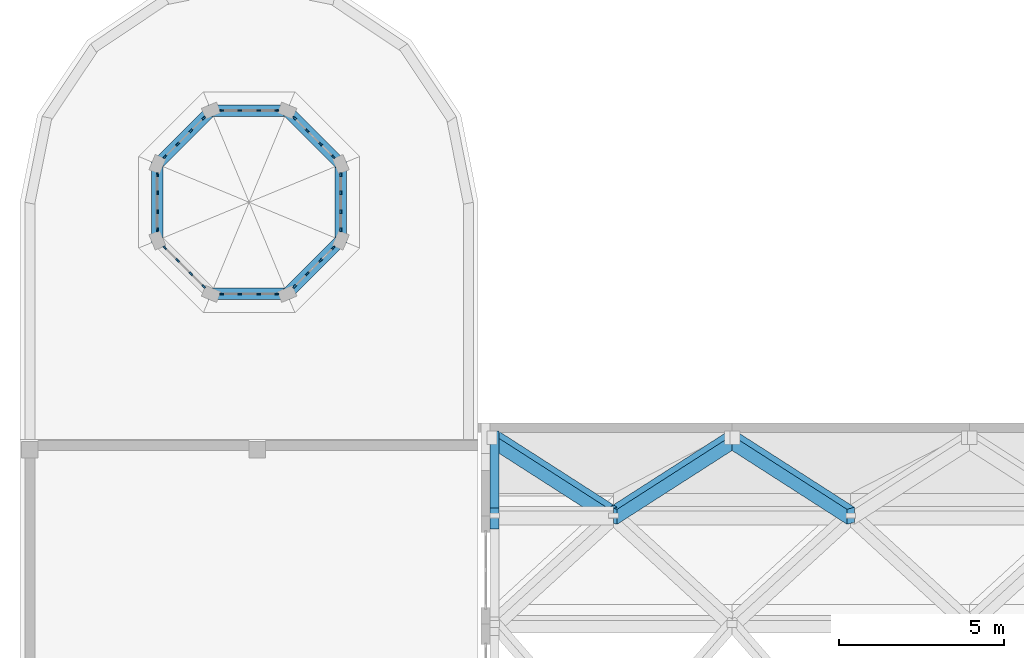
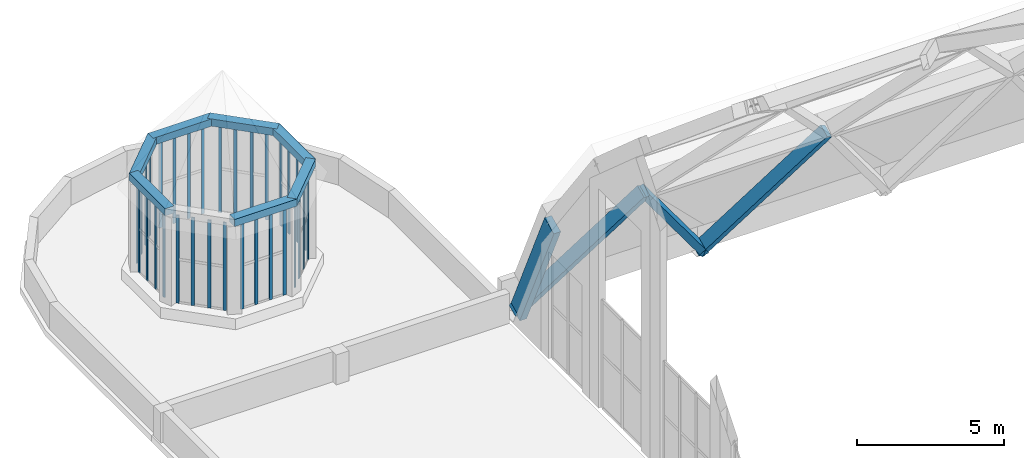
# One storey, part 12 of 52: 35 members, 8 beams, 8 elements without a shape of their own.
"""IFC4 building model written with IfcOpenShell, lengths in metres."""

from ifc_helpers import new_model, si_unit, direction, frame, origin, origin_2d, place, context, subcontext, project, spatial, rectangle, extrude, material, material_profile, profile_set, type_object, element, aggregate, save


model = new_model("IFC4")

# Units and contexts
model_context = context("Model", 3, precision=1e-05, world=origin(), true_north=direction((0.0, 1.0)))
body_context = subcontext(model_context, "Body", "Model", "MODEL_VIEW")
ifc_project = project(units=[si_unit("LENGTHUNIT", "METRE"), si_unit("AREAUNIT", "SQUARE_METRE"), si_unit("VOLUMEUNIT", "CUBIC_METRE"), si_unit("PLANEANGLEUNIT", "RADIAN"), si_unit("MASSUNIT", "GRAM", prefix="KILO")], contexts=[model_context])

# Site, building, storey
site_placement = place(None, origin())
site = spatial("IfcSite", under=ifc_project, at=site_placement, CompositionType="ELEMENT")
building_placement = place(site_placement, origin())
building = spatial("IfcBuilding", under=site, at=building_placement, Name="Vermilion Court Aquatics Centre", CompositionType="ELEMENT")
storey_placement = place(building_placement, frame((0.0, 0.0, 12.0)))
storey = spatial("IfcBuildingStorey", under=building, at=storey_placement, Name="L02", CompositionType="ELEMENT", Elevation=12.0)

# Beam
ifc_material_1 = material(Name="Glulam 24F-V4 Douglas fir", Category="wood")
ifc_material_profile_1 = material_profile(ifc_material_1, rectangle(XDim=0.27294921875, YDim=0.699951171875, at=origin_2d()), Name="GL24F 273x700")
ifc_profile_set_1 = profile_set([ifc_material_profile_1], Name="Glulam 24F-V4 Douglas fir")
beam_type_1 = type_object("IfcBeamType", Name="Roof gable arch rib GL24F 273x700", PredefinedType="BEAM", material=ifc_profile_set_1)
beam_placement = place(storey_placement, frame((14.39990234375, 62.411865234375, 5.169677734375), z_axis=(0.0, 0.420151136212, -0.907454143602), x_axis=(-1.0, 0.0, 0.0)))
element("IfcBeam", 1, at=beam_placement, inside=storey, type_object=beam_type_1, Name="Gable arch rib GR-R11-W", PredefinedType="BEAM", context=body_context, shape_type="SweptSolid", body=[
    extrude(rectangle(XDim=0.27294921875, YDim=0.699951171875, at=origin_2d()), origin(), (0.0, 0.0, 1.0), 5.537109375),
])

# Members
ifc_material_2 = material(Name="Glulam 24F-V4 Douglas fir", Category="wood")
ifc_material_profile_2 = material_profile(ifc_material_2, rectangle(XDim=0.27294921875, YDim=0.5, at=origin_2d()), Name="GL24F 273x500")
ifc_profile_set_2 = profile_set([ifc_material_profile_2], Name="Glulam 24F-V4 Douglas fir")
member_type_1 = type_object("IfcMemberType", Name="Roof glulam diagonal GL24F 273x500", PredefinedType="BRACE", material=ifc_profile_set_2)
for number, where, z_axis, x_axis, name in (
    (2, (18.0, 62.489990234375, 5.239013671875), (-0.547810111411, 0.35151027822, -0.759173633724), (-0.836602702247, -0.230192523341, 0.497098904436), "Gridshell member GM-D11-00"),
    (3, (18.0, 62.489990234375, 5.239013671875), (0.547810111411, 0.35151027822, -0.759173633724), (-0.836602702247, 0.230192523341, -0.497098904436), "Gridshell member GM-D11-01"),
    (4, (25.199951171875, 62.489990234375, 5.239013671875), (-0.547810111411, 0.35151027822, -0.759173633724), (-0.836602702247, -0.230192523341, 0.497098904436), "Gridshell member GM-D11-02"),
):
    element("IfcMember", number, at=place(storey_placement, frame(where, z_axis=z_axis, x_axis=x_axis)), inside=storey, type_object=member_type_1, Name=name, PredefinedType="BRACE", context=body_context, shape_type="SweptSolid", body=[
        extrude(rectangle(XDim=0.27294921875, YDim=0.5, at=origin_2d()), origin(), (0.0, 0.0, 1.0), 6.72607421875),
    ])

# Curtain wall, members
ifc_material_3 = material(Name="Aluminium 6063-T5", Category="aluminium")
curtain_wall_type = type_object("IfcCurtainWallType", Name="Rotunda lantern curtain wall", PredefinedType="NOTDEFINED", material=ifc_material_3)
curtain_wall_1_placement = place(storey_placement, origin())
curtain_wall_1 = element("IfcCurtainWall", 5, at=curtain_wall_1_placement, inside=storey, type_object=curtain_wall_type, Name="Rotunda lantern curtain wall", PredefinedType="NOTDEFINED")
ifc_material_4 = material(Name="Aluminium 6063-T5", Category="aluminium")
ifc_material_profile_3 = material_profile(ifc_material_4, rectangle(XDim=0.050048828125, YDim=0.1201171875, at=origin_2d()), Name="Aluminium 50x120")
ifc_profile_set_3 = profile_set([ifc_material_profile_3], Name="Aluminium 6063-T5")
member_type_2 = type_object("IfcMemberType", Name="Rotunda lantern mullion 50x120", PredefinedType="MULLION", material=ifc_profile_set_3)
member_1_placement = place(storey_placement, frame((9.504638671875, 73.37890625, 0.449951171875), z_axis=(0.0, 0.0, 1.0), x_axis=(-0.707106781187, -0.707106781187, 0.0)))
member_1 = element("IfcMember", 6, at=member_1_placement, type_object=member_type_2, Name="HRT13 mullion 1", PredefinedType="MULLION", context=body_context, shape_type="SweptSolid", body=[
    extrude(rectangle(XDim=0.050048828125, YDim=0.1201171875, at=origin_2d()), origin(), (0.0, 0.0, 1.0), 3.650146484375),
])
member_2_placement = place(storey_placement, frame((9.119873046875, 73.763671875, 0.449951171875), z_axis=(0.0, 0.0, 1.0), x_axis=(-0.707106781187, -0.707106781187, 0.0)))
member_2 = element("IfcMember", 7, at=member_2_placement, type_object=member_type_2, Name="HRT13 mullion 2", PredefinedType="MULLION", context=body_context, shape_type="SweptSolid", body=[
    extrude(rectangle(XDim=0.050048828125, YDim=0.1201171875, at=origin_2d()), origin(), (0.0, 0.0, 1.0), 3.650146484375),
])
member_3_placement = place(storey_placement, frame((8.713623046875, 74.169921875, 0.449951171875), z_axis=(0.0, 0.0, 1.0), x_axis=(-0.707106781187, -0.707106781187, 0.0)))
member_3 = element("IfcMember", 8, at=member_3_placement, type_object=member_type_2, Name="HRT13 mullion 3", PredefinedType="MULLION", context=body_context, shape_type="SweptSolid", body=[
    extrude(rectangle(XDim=0.050048828125, YDim=0.1201171875, at=origin_2d()), origin(), (0.0, 0.0, 1.0), 3.650146484375),
])
member_4_placement = place(storey_placement, frame((8.328857421875, 74.5546875, 0.449951171875), z_axis=(0.0, 0.0, 1.0), x_axis=(-0.707106781187, -0.707106781187, 0.0)))
member_4 = element("IfcMember", 9, at=member_4_placement, type_object=member_type_2, Name="HRT13 mullion 4", PredefinedType="MULLION", context=body_context, shape_type="SweptSolid", body=[
    extrude(rectangle(XDim=0.050048828125, YDim=0.1201171875, at=origin_2d()), origin(), (0.0, 0.0, 1.0), 3.650146484375),
])
aggregate(curtain_wall_1, [member_1, member_2, member_3, member_4])

curtain_wall_2_placement = place(storey_placement, origin())
curtain_wall_2 = element("IfcCurtainWall", 10, at=curtain_wall_2_placement, inside=storey, type_object=curtain_wall_type, Name="Rotunda lantern curtain wall", PredefinedType="NOTDEFINED")
member_5_placement = place(storey_placement, frame((7.781494140625, 74.781494140625, 0.449951171875), z_axis=(0.0, 0.0, 1.0), x_axis=(0.0, -1.0, 0.0)))
member_5 = element("IfcMember", 11, at=member_5_placement, type_object=member_type_2, Name="HRT13 mullion 1", PredefinedType="MULLION", context=body_context, shape_type="SweptSolid", body=[
    extrude(rectangle(XDim=0.050048828125, YDim=0.1201171875, at=origin_2d()), origin(), (0.0, 0.0, 1.0), 3.650146484375),
])
member_6_placement = place(storey_placement, frame((7.237060546875, 74.781494140625, 0.449951171875), z_axis=(0.0, 0.0, 1.0), x_axis=(0.0, -1.0, 0.0)))
member_6 = element("IfcMember", 12, at=member_6_placement, type_object=member_type_2, Name="HRT13 mullion 2", PredefinedType="MULLION", context=body_context, shape_type="SweptSolid", body=[
    extrude(rectangle(XDim=0.050048828125, YDim=0.1201171875, at=origin_2d()), origin(), (0.0, 0.0, 1.0), 3.650146484375),
])
member_7_placement = place(storey_placement, frame((6.662841796875, 74.781494140625, 0.449951171875), z_axis=(0.0, 0.0, 1.0), x_axis=(0.0, -1.0, 0.0)))
member_7 = element("IfcMember", 13, at=member_7_placement, type_object=member_type_2, Name="HRT13 mullion 3", PredefinedType="MULLION", context=body_context, shape_type="SweptSolid", body=[
    extrude(rectangle(XDim=0.050048828125, YDim=0.1201171875, at=origin_2d()), origin(), (0.0, 0.0, 1.0), 3.650146484375),
])
member_8_placement = place(storey_placement, frame((6.118408203125, 74.781494140625, 0.449951171875), z_axis=(0.0, 0.0, 1.0), x_axis=(0.0, -1.0, 0.0)))
member_8 = element("IfcMember", 14, at=member_8_placement, type_object=member_type_2, Name="HRT13 mullion 4", PredefinedType="MULLION", context=body_context, shape_type="SweptSolid", body=[
    extrude(rectangle(XDim=0.050048828125, YDim=0.1201171875, at=origin_2d()), origin(), (0.0, 0.0, 1.0), 3.650146484375),
])
aggregate(curtain_wall_2, [member_5, member_6, member_7, member_8])

curtain_wall_3_placement = place(storey_placement, origin())
curtain_wall_3 = element("IfcCurtainWall", 15, at=curtain_wall_3_placement, inside=storey, type_object=curtain_wall_type, Name="Rotunda lantern curtain wall", PredefinedType="NOTDEFINED")
member_9_placement = place(storey_placement, frame((5.5712890625, 74.5546875, 0.449951171875), z_axis=(0.0, 0.0, 1.0), x_axis=(0.707106781187, -0.707106781187, 0.0)))
member_9 = element("IfcMember", 16, at=member_9_placement, type_object=member_type_2, Name="HRT13 mullion 1", PredefinedType="MULLION", context=body_context, shape_type="SweptSolid", body=[
    extrude(rectangle(XDim=0.050048828125, YDim=0.1201171875, at=origin_2d()), origin(), (0.0, 0.0, 1.0), 3.650146484375),
])
member_10_placement = place(storey_placement, frame((5.186279296875, 74.169921875, 0.449951171875), z_axis=(0.0, 0.0, 1.0), x_axis=(0.707106781187, -0.707106781187, 0.0)))
member_10 = element("IfcMember", 17, at=member_10_placement, type_object=member_type_2, Name="HRT13 mullion 2", PredefinedType="MULLION", context=body_context, shape_type="SweptSolid", body=[
    extrude(rectangle(XDim=0.050048828125, YDim=0.1201171875, at=origin_2d()), origin(), (0.0, 0.0, 1.0), 3.650146484375),
])
member_11_placement = place(storey_placement, frame((4.7802734375, 73.763671875, 0.449951171875), z_axis=(0.0, 0.0, 1.0), x_axis=(0.707106781187, -0.707106781187, 0.0)))
member_11 = element("IfcMember", 18, at=member_11_placement, type_object=member_type_2, Name="HRT13 mullion 3", PredefinedType="MULLION", context=body_context, shape_type="SweptSolid", body=[
    extrude(rectangle(XDim=0.050048828125, YDim=0.1201171875, at=origin_2d()), origin(), (0.0, 0.0, 1.0), 3.650146484375),
])
member_12_placement = place(storey_placement, frame((4.395263671875, 73.37890625, 0.449951171875), z_axis=(0.0, 0.0, 1.0), x_axis=(0.707106781187, -0.707106781187, 0.0)))
member_12 = element("IfcMember", 19, at=member_12_placement, type_object=member_type_2, Name="HRT13 mullion 4", PredefinedType="MULLION", context=body_context, shape_type="SweptSolid", body=[
    extrude(rectangle(XDim=0.050048828125, YDim=0.1201171875, at=origin_2d()), origin(), (0.0, 0.0, 1.0), 3.650146484375),
])
aggregate(curtain_wall_3, [member_9, member_10, member_11, member_12])

curtain_wall_4_placement = place(storey_placement, origin())
curtain_wall_4 = element("IfcCurtainWall", 20, at=curtain_wall_4_placement, inside=storey, type_object=curtain_wall_type, Name="Rotunda lantern curtain wall", PredefinedType="NOTDEFINED")
member_13_placement = place(storey_placement, frame((4.168701171875, 72.83154296875, 0.449951171875), z_axis=(0.0, 0.0, 1.0), x_axis=(1.0, 0.0, 0.0)))
member_13 = element("IfcMember", 21, at=member_13_placement, type_object=member_type_2, Name="HRT13 mullion 1", PredefinedType="MULLION", context=body_context, shape_type="SweptSolid", body=[
    extrude(rectangle(XDim=0.050048828125, YDim=0.1201171875, at=origin_2d()), origin(), (0.0, 0.0, 1.0), 3.650146484375),
])
member_14_placement = place(storey_placement, frame((4.168701171875, 72.287109375, 0.449951171875), z_axis=(0.0, 0.0, 1.0), x_axis=(1.0, 0.0, 0.0)))
member_14 = element("IfcMember", 22, at=member_14_placement, type_object=member_type_2, Name="HRT13 mullion 2", PredefinedType="MULLION", context=body_context, shape_type="SweptSolid", body=[
    extrude(rectangle(XDim=0.050048828125, YDim=0.1201171875, at=origin_2d()), origin(), (0.0, 0.0, 1.0), 3.650146484375),
])
member_15_placement = place(storey_placement, frame((4.168701171875, 71.712890625, 0.449951171875), z_axis=(0.0, 0.0, 1.0), x_axis=(1.0, 0.0, 0.0)))
member_15 = element("IfcMember", 23, at=member_15_placement, type_object=member_type_2, Name="HRT13 mullion 3", PredefinedType="MULLION", context=body_context, shape_type="SweptSolid", body=[
    extrude(rectangle(XDim=0.050048828125, YDim=0.1201171875, at=origin_2d()), origin(), (0.0, 0.0, 1.0), 3.650146484375),
])
member_16_placement = place(storey_placement, frame((4.168701171875, 71.16845703125, 0.449951171875), z_axis=(0.0, 0.0, 1.0), x_axis=(1.0, 0.0, 0.0)))
member_16 = element("IfcMember", 24, at=member_16_placement, type_object=member_type_2, Name="HRT13 mullion 4", PredefinedType="MULLION", context=body_context, shape_type="SweptSolid", body=[
    extrude(rectangle(XDim=0.050048828125, YDim=0.1201171875, at=origin_2d()), origin(), (0.0, 0.0, 1.0), 3.650146484375),
])
aggregate(curtain_wall_4, [member_13, member_14, member_15, member_16])

curtain_wall_5_placement = place(storey_placement, origin())
curtain_wall_5 = element("IfcCurtainWall", 25, at=curtain_wall_5_placement, inside=storey, type_object=curtain_wall_type, Name="Rotunda lantern curtain wall", PredefinedType="NOTDEFINED")
member_17_placement = place(storey_placement, frame((4.395263671875, 70.62109375, 0.449951171875), z_axis=(0.0, 0.0, 1.0), x_axis=(0.707106781187, 0.707106781187, 0.0)))
member_17 = element("IfcMember", 26, at=member_17_placement, type_object=member_type_2, Name="HRT13 mullion 1", PredefinedType="MULLION", context=body_context, shape_type="SweptSolid", body=[
    extrude(rectangle(XDim=0.050048828125, YDim=0.1201171875, at=origin_2d()), origin(), (0.0, 0.0, 1.0), 3.650146484375),
])
member_18_placement = place(storey_placement, frame((4.7802734375, 70.236328125, 0.449951171875), z_axis=(0.0, 0.0, 1.0), x_axis=(0.707106781187, 0.707106781187, 0.0)))
member_18 = element("IfcMember", 27, at=member_18_placement, type_object=member_type_2, Name="HRT13 mullion 2", PredefinedType="MULLION", context=body_context, shape_type="SweptSolid", body=[
    extrude(rectangle(XDim=0.050048828125, YDim=0.1201171875, at=origin_2d()), origin(), (0.0, 0.0, 1.0), 3.650146484375),
])
member_19_placement = place(storey_placement, frame((5.186279296875, 69.830078125, 0.449951171875), z_axis=(0.0, 0.0, 1.0), x_axis=(0.707106781187, 0.707106781187, 0.0)))
member_19 = element("IfcMember", 28, at=member_19_placement, type_object=member_type_2, Name="HRT13 mullion 3", PredefinedType="MULLION", context=body_context, shape_type="SweptSolid", body=[
    extrude(rectangle(XDim=0.050048828125, YDim=0.1201171875, at=origin_2d()), origin(), (0.0, 0.0, 1.0), 3.650146484375),
])
member_20_placement = place(storey_placement, frame((5.5712890625, 69.4453125, 0.449951171875), z_axis=(0.0, 0.0, 1.0), x_axis=(0.707106781187, 0.707106781187, 0.0)))
member_20 = element("IfcMember", 29, at=member_20_placement, type_object=member_type_2, Name="HRT13 mullion 4", PredefinedType="MULLION", context=body_context, shape_type="SweptSolid", body=[
    extrude(rectangle(XDim=0.050048828125, YDim=0.1201171875, at=origin_2d()), origin(), (0.0, 0.0, 1.0), 3.650146484375),
])
aggregate(curtain_wall_5, [member_17, member_18, member_19, member_20])

curtain_wall_6_placement = place(storey_placement, origin())
curtain_wall_6 = element("IfcCurtainWall", 30, at=curtain_wall_6_placement, inside=storey, type_object=curtain_wall_type, Name="Rotunda lantern curtain wall", PredefinedType="NOTDEFINED")
member_21_placement = place(storey_placement, frame((6.118408203125, 69.218505859375, 0.449951171875), z_axis=(0.0, 0.0, 1.0), x_axis=(0.0, 1.0, 0.0)))
member_21 = element("IfcMember", 31, at=member_21_placement, type_object=member_type_2, Name="HRT13 mullion 1", PredefinedType="MULLION", context=body_context, shape_type="SweptSolid", body=[
    extrude(rectangle(XDim=0.050048828125, YDim=0.1201171875, at=origin_2d()), origin(), (0.0, 0.0, 1.0), 3.650146484375),
])
member_22_placement = place(storey_placement, frame((6.662841796875, 69.218505859375, 0.449951171875), z_axis=(0.0, 0.0, 1.0), x_axis=(0.0, 1.0, 0.0)))
member_22 = element("IfcMember", 32, at=member_22_placement, type_object=member_type_2, Name="HRT13 mullion 2", PredefinedType="MULLION", context=body_context, shape_type="SweptSolid", body=[
    extrude(rectangle(XDim=0.050048828125, YDim=0.1201171875, at=origin_2d()), origin(), (0.0, 0.0, 1.0), 3.650146484375),
])
member_23_placement = place(storey_placement, frame((7.237060546875, 69.218505859375, 0.449951171875), z_axis=(0.0, 0.0, 1.0), x_axis=(0.0, 1.0, 0.0)))
member_23 = element("IfcMember", 33, at=member_23_placement, type_object=member_type_2, Name="HRT13 mullion 3", PredefinedType="MULLION", context=body_context, shape_type="SweptSolid", body=[
    extrude(rectangle(XDim=0.050048828125, YDim=0.1201171875, at=origin_2d()), origin(), (0.0, 0.0, 1.0), 3.650146484375),
])
member_24_placement = place(storey_placement, frame((7.781494140625, 69.218505859375, 0.449951171875), z_axis=(0.0, 0.0, 1.0), x_axis=(0.0, 1.0, 0.0)))
member_24 = element("IfcMember", 34, at=member_24_placement, type_object=member_type_2, Name="HRT13 mullion 4", PredefinedType="MULLION", context=body_context, shape_type="SweptSolid", body=[
    extrude(rectangle(XDim=0.050048828125, YDim=0.1201171875, at=origin_2d()), origin(), (0.0, 0.0, 1.0), 3.650146484375),
])
aggregate(curtain_wall_6, [member_21, member_22, member_23, member_24])

curtain_wall_7_placement = place(storey_placement, origin())
curtain_wall_7 = element("IfcCurtainWall", 35, at=curtain_wall_7_placement, inside=storey, type_object=curtain_wall_type, Name="Rotunda lantern curtain wall", PredefinedType="NOTDEFINED")
member_25_placement = place(storey_placement, frame((8.328857421875, 69.4453125, 0.449951171875), z_axis=(0.0, 0.0, 1.0), x_axis=(-0.707106781187, 0.707106781187, 0.0)))
member_25 = element("IfcMember", 36, at=member_25_placement, type_object=member_type_2, Name="HRT13 mullion 1", PredefinedType="MULLION", context=body_context, shape_type="SweptSolid", body=[
    extrude(rectangle(XDim=0.050048828125, YDim=0.1201171875, at=origin_2d()), origin(), (0.0, 0.0, 1.0), 3.650146484375),
])
member_26_placement = place(storey_placement, frame((8.713623046875, 69.830078125, 0.449951171875), z_axis=(0.0, 0.0, 1.0), x_axis=(-0.707106781187, 0.707106781187, 0.0)))
member_26 = element("IfcMember", 37, at=member_26_placement, type_object=member_type_2, Name="HRT13 mullion 2", PredefinedType="MULLION", context=body_context, shape_type="SweptSolid", body=[
    extrude(rectangle(XDim=0.050048828125, YDim=0.1201171875, at=origin_2d()), origin(), (0.0, 0.0, 1.0), 3.650146484375),
])
member_27_placement = place(storey_placement, frame((9.119873046875, 70.236328125, 0.449951171875), z_axis=(0.0, 0.0, 1.0), x_axis=(-0.707106781187, 0.707106781187, 0.0)))
member_27 = element("IfcMember", 38, at=member_27_placement, type_object=member_type_2, Name="HRT13 mullion 3", PredefinedType="MULLION", context=body_context, shape_type="SweptSolid", body=[
    extrude(rectangle(XDim=0.050048828125, YDim=0.1201171875, at=origin_2d()), origin(), (0.0, 0.0, 1.0), 3.650146484375),
])
member_28_placement = place(storey_placement, frame((9.504638671875, 70.62109375, 0.449951171875), z_axis=(0.0, 0.0, 1.0), x_axis=(-0.707106781187, 0.707106781187, 0.0)))
member_28 = element("IfcMember", 39, at=member_28_placement, type_object=member_type_2, Name="HRT13 mullion 4", PredefinedType="MULLION", context=body_context, shape_type="SweptSolid", body=[
    extrude(rectangle(XDim=0.050048828125, YDim=0.1201171875, at=origin_2d()), origin(), (0.0, 0.0, 1.0), 3.650146484375),
])
aggregate(curtain_wall_7, [member_25, member_26, member_27, member_28])

curtain_wall_8_placement = place(storey_placement, origin())
curtain_wall_8 = element("IfcCurtainWall", 40, at=curtain_wall_8_placement, inside=storey, type_object=curtain_wall_type, Name="Rotunda lantern curtain wall", PredefinedType="NOTDEFINED")
member_29_placement = place(storey_placement, frame((9.7314453125, 71.16845703125, 0.449951171875), z_axis=(0.0, 0.0, 1.0), x_axis=(-1.0, 0.0, 0.0)))
member_29 = element("IfcMember", 41, at=member_29_placement, type_object=member_type_2, Name="HRT13 mullion 1", PredefinedType="MULLION", context=body_context, shape_type="SweptSolid", body=[
    extrude(rectangle(XDim=0.050048828125, YDim=0.1201171875, at=origin_2d()), origin(), (0.0, 0.0, 1.0), 3.650146484375),
])
member_30_placement = place(storey_placement, frame((9.7314453125, 71.712890625, 0.449951171875), z_axis=(0.0, 0.0, 1.0), x_axis=(-1.0, 0.0, 0.0)))
member_30 = element("IfcMember", 42, at=member_30_placement, type_object=member_type_2, Name="HRT13 mullion 2", PredefinedType="MULLION", context=body_context, shape_type="SweptSolid", body=[
    extrude(rectangle(XDim=0.050048828125, YDim=0.1201171875, at=origin_2d()), origin(), (0.0, 0.0, 1.0), 3.650146484375),
])
member_31_placement = place(storey_placement, frame((9.7314453125, 72.287109375, 0.449951171875), z_axis=(0.0, 0.0, 1.0), x_axis=(-1.0, 0.0, 0.0)))
member_31 = element("IfcMember", 43, at=member_31_placement, type_object=member_type_2, Name="HRT13 mullion 3", PredefinedType="MULLION", context=body_context, shape_type="SweptSolid", body=[
    extrude(rectangle(XDim=0.050048828125, YDim=0.1201171875, at=origin_2d()), origin(), (0.0, 0.0, 1.0), 3.650146484375),
])
member_32_placement = place(storey_placement, frame((9.7314453125, 72.83154296875, 0.449951171875), z_axis=(0.0, 0.0, 1.0), x_axis=(-1.0, 0.0, 0.0)))
member_32 = element("IfcMember", 44, at=member_32_placement, type_object=member_type_2, Name="HRT13 mullion 4", PredefinedType="MULLION", context=body_context, shape_type="SweptSolid", body=[
    extrude(rectangle(XDim=0.050048828125, YDim=0.1201171875, at=origin_2d()), origin(), (0.0, 0.0, 1.0), 3.650146484375),
])
aggregate(curtain_wall_8, [member_29, member_30, member_31, member_32])

# Beams
ifc_material_5 = material(Name="Concrete 5000 psi", Category="concrete")
ifc_material_profile_4 = material_profile(ifc_material_5, rectangle(XDim=0.35009765625, YDim=0.300048828125, at=origin_2d()), Name="RC 350x300")
ifc_profile_set_4 = profile_set([ifc_material_profile_4], Name="Concrete 5000 psi")
beam_type_2 = type_object("IfcBeamType", Name="Rotunda lantern ring beam RC 350x300", PredefinedType="BEAM", material=ifc_profile_set_4)
for number, where, z_axis, x_axis, name in (
    (45, (9.78271484375, 73.100830078125, 4.25), (-0.707106781187, 0.707106781187, 0.0), (-0.707106781187, -0.707106781187, 0.0), "Rotunda lantern ring beam"),
    (46, (8.174560546875, 74.781494140625, 4.25), (-1.0, 0.0, 0.0), (0.0, -1.0, 0.0), "Rotunda lantern ring beam"),
    (47, (5.84912109375, 74.832763671875, 4.25), (-0.707106781187, -0.707106781187, 0.0), (0.707106781187, -0.707106781187, 0.0), "Rotunda lantern ring beam"),
    (48, (4.168701171875, 73.224609375, 4.25), (0.0, -1.0, 0.0), (1.0, 0.0, 0.0), "Rotunda lantern ring beam"),
    (49, (5.725341796875, 69.218505859375, 4.25), (1.0, 0.0, 0.0), (0.0, 1.0, 0.0), "Rotunda lantern ring beam"),
    (50, (8.05078125, 69.167236328125, 4.25), (0.707106781187, 0.707106781187, 0.0), (-0.707106781187, 0.707106781187, 0.0), "Rotunda lantern ring beam"),
    (51, (9.7314453125, 70.775390625, 4.25), (0.0, 1.0, 0.0), (-1.0, 0.0, 0.0), "Rotunda lantern ring beam"),
):
    element("IfcBeam", number, at=place(storey_placement, frame(where, z_axis=z_axis, x_axis=x_axis)), inside=storey, type_object=beam_type_2, Name=name, PredefinedType="BEAM", context=body_context, shape_type="SweptSolid", body=[
        extrude(rectangle(XDim=0.35009765625, YDim=0.300048828125, at=origin_2d()), origin(), (0.0, 0.0, 1.0), 2.44921875),
    ])

save(model, "model.ifc")
